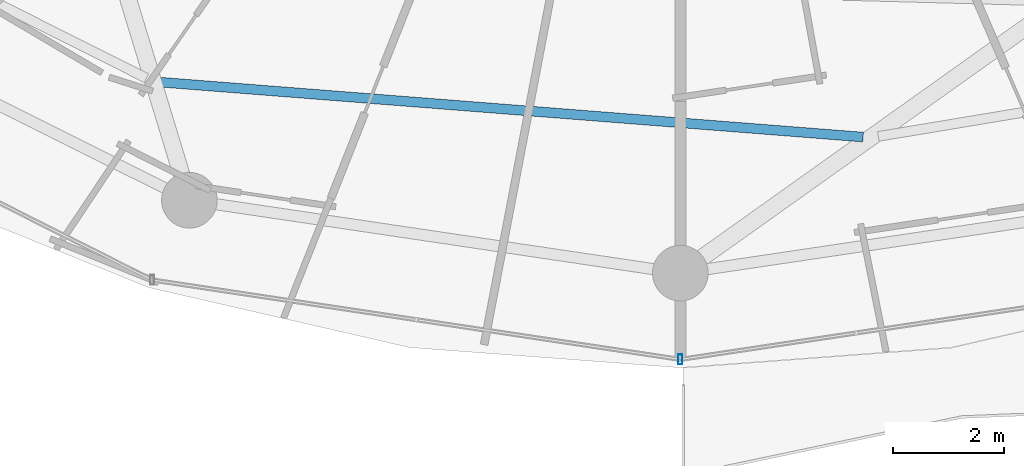
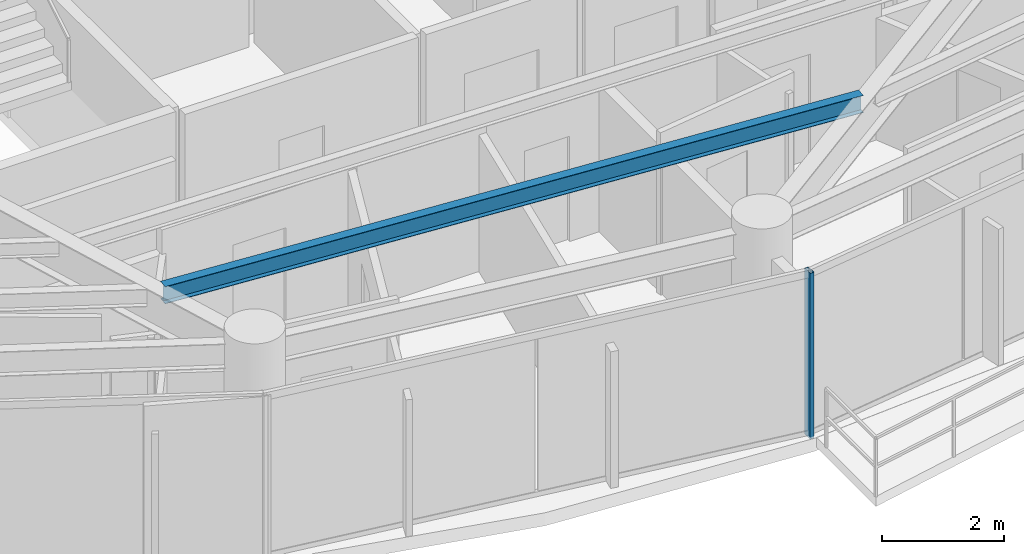
# One storey, part 6 of 31: 1 beam, 1 member, 1 element without a shape of its own.
"""IFC4 building model written with IfcOpenShell, lengths in metres."""

from ifc_helpers import new_model, si_unit, direction, frame, origin, origin_2d, place, context, subcontext, project, spatial, hollow_rectangle, i_section, extrude, material, material_profile, profile_set, type_object, element, aggregate, save


model = new_model("IFC4")

# Units and contexts
model_context = context("Model", 3, precision=1e-05, world=origin(), true_north=direction((0.0, 1.0)))
body_context = subcontext(model_context, "Body", "Model", "MODEL_VIEW")
ifc_project = project(units=[si_unit("LENGTHUNIT", "METRE"), si_unit("AREAUNIT", "SQUARE_METRE"), si_unit("VOLUMEUNIT", "CUBIC_METRE"), si_unit("PLANEANGLEUNIT", "RADIAN"), si_unit("MASSUNIT", "GRAM", prefix="KILO")], contexts=[model_context])

# Site, building, storey
site_placement = place(None, origin())
site = spatial("IfcSite", under=ifc_project, at=site_placement, CompositionType="ELEMENT")
building_placement = place(site_placement, origin())
building = spatial("IfcBuilding", under=site, at=building_placement, Name="Vorneva Point Tower", CompositionType="ELEMENT")
storey_placement = place(building_placement, frame((0.0, 0.0, 136.10009765625)))
storey = spatial("IfcBuildingStorey", under=building, at=storey_placement, Name="L36", CompositionType="ELEMENT", Elevation=136.10009765625)

# Beam
ifc_material_1 = material(Name="Steel S355", Category="steel")
ifc_material_profile_1 = material_profile(ifc_material_1, i_section(OverallWidth=0.174072265625, OverallDepth=0.345947265625, WebThickness=0.006103515625, FlangeThickness=0.009033203125, at=origin_2d()), Name="35B1")
ifc_profile_set_1 = profile_set([ifc_material_profile_1], Name="Steel S355")
beam_type = type_object("IfcBeamType", Name="BM-SEC-35B1", PredefinedType="BEAM", material=ifc_profile_set_1)
beam_placement = place(storey_placement, frame((28.668212890625, 12.22998046875, 3.06689453125), z_axis=(0.996963101117, -0.077875381295, 0.0), x_axis=(0.077875381295, 0.996963101117, 0.0)))
element("IfcBeam", 1, at=beam_placement, inside=storey, type_object=beam_type, Name="L36 Secondary Floor Beam 1.12", PredefinedType="BEAM", context=body_context, shape_type="SweptSolid", body=[
    extrude(i_section(OverallWidth=0.174072265625, OverallDepth=0.345947265625, WebThickness=0.006103515625, FlangeThickness=0.009033203125, at=origin_2d()), origin(), (0.0, 0.0, 1.0), 12.65283203125),
])

# Curtain wall, member
ifc_material_2 = material(Name="Pale anodised aluminium", Category="aluminium")
curtain_wall_type = type_object("IfcCurtainWallType", Name="CW-RES-SYS", PredefinedType="NOTDEFINED", material=ifc_material_2)
curtain_wall_placement = place(storey_placement, origin())
curtain_wall = element("IfcCurtainWall", 2, at=curtain_wall_placement, inside=storey, type_object=curtain_wall_type, Name="L36 Unitised Curtain Wall CW-L36-R04", PredefinedType="NOTDEFINED")
ifc_material_profile_2 = material_profile(ifc_material_2, hollow_rectangle(XDim=0.074951171875, YDim=0.179931640625, WallThickness=0.00390625, at=origin_2d()), Name="AL-MUL 180x75x4")
ifc_profile_set_2 = profile_set([ifc_material_profile_2], Name="Pale anodised aluminium")
member_type = type_object("IfcMemberType", Name="CW-MUL-180", PredefinedType="MULLION", material=ifc_profile_set_2)
member_placement = place(storey_placement, frame((38.0, 7.25, -0.0400390625), z_axis=(0.0, 0.0, 1.0), x_axis=(1.0, 0.0, 0.0)))
member = element("IfcMember", 3, at=member_placement, type_object=member_type, Name="CW-L36-R04 Mullion 03", PredefinedType="MULLION", context=body_context, shape_type="SweptSolid", body=[
    extrude(hollow_rectangle(XDim=0.074951171875, YDim=0.179931640625, WallThickness=0.00390625, at=origin_2d()), origin(), (0.0, 0.0, 1.0), 3.31005859375),
])
aggregate(curtain_wall, [member])

save(model, "model.ifc")
